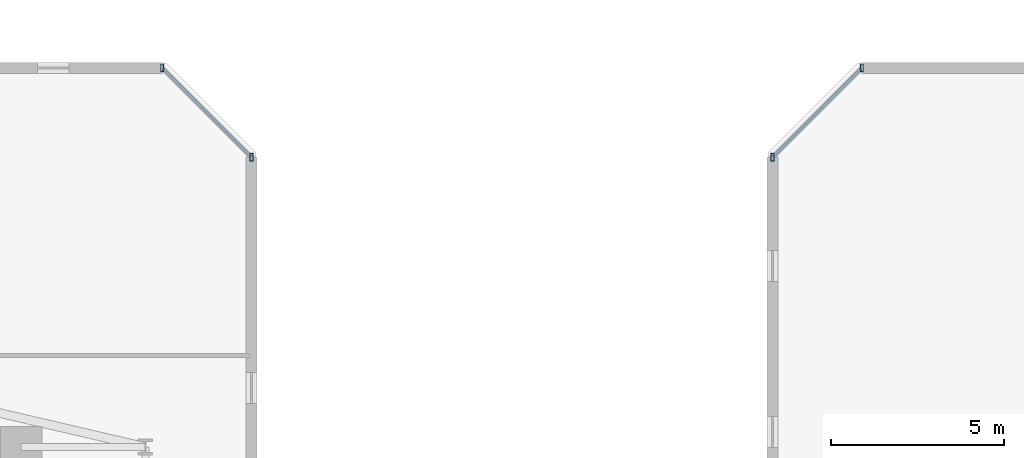
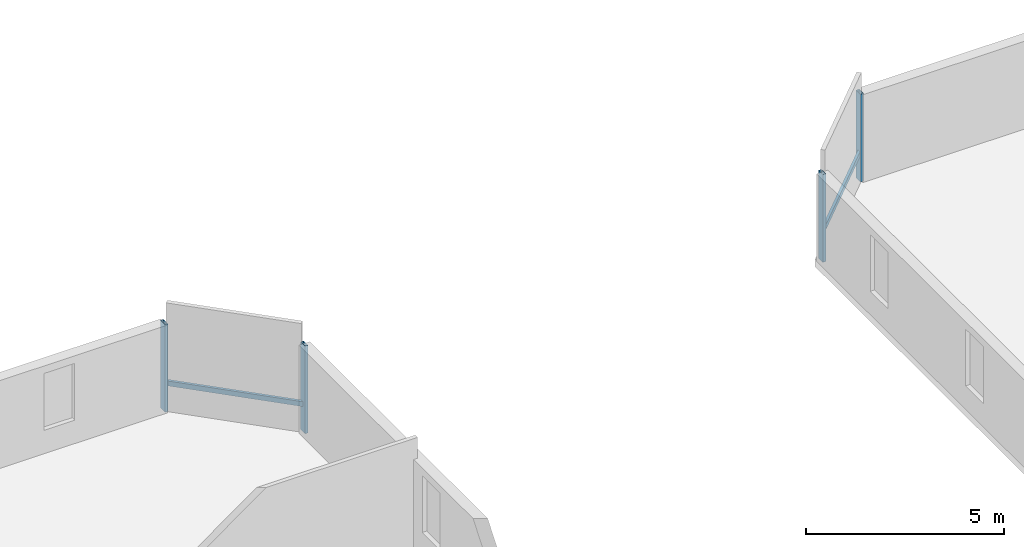
# One storey, part 10 of 29: 6 members, 2 elements without a shape of their own.
"""IFC4 building model written with IfcOpenShell, lengths in metres."""

from ifc_helpers import new_model, si_unit, direction, frame, origin, origin_2d, place, context, subcontext, project, spatial, hollow_rectangle, extrude, material, material_profile, profile_set, type_object, element, aggregate, save


model = new_model("IFC4")

# Units and contexts
model_context = context("Model", 3, precision=1e-05, world=origin(), true_north=direction((0.0, 1.0)))
body_context = subcontext(model_context, "Body", "Model", "MODEL_VIEW")
ifc_project = project(units=[si_unit("LENGTHUNIT", "METRE"), si_unit("AREAUNIT", "SQUARE_METRE"), si_unit("VOLUMEUNIT", "CUBIC_METRE"), si_unit("PLANEANGLEUNIT", "RADIAN"), si_unit("MASSUNIT", "GRAM", prefix="KILO")], contexts=[model_context])

# Site, building, storey
site_placement = place(None, origin())
site = spatial("IfcSite", under=ifc_project, at=site_placement, CompositionType="ELEMENT")
building_placement = place(site_placement, origin())
building = spatial("IfcBuilding", under=site, at=building_placement, Name="Thornwick Lancets Civic Towers", CompositionType="ELEMENT")
storey_placement = place(building_placement, frame((0.0, 0.0, 83.699951171875)))
storey = spatial("IfcBuildingStorey", under=building, at=storey_placement, Name="L21", CompositionType="ELEMENT", Elevation=83.699951171875)

# Curtain wall, members
ifc_material_1 = material(Name="Low-zone chamfered-corner unitised glass curtain wall", Category="glass")
curtain_wall_type = type_object("IfcCurtainWallType", Name="CW_SYS_03", PredefinedType="NOTDEFINED", material=ifc_material_1)
curtain_wall_1_placement = place(storey_placement, origin())
curtain_wall_1 = element("IfcCurtainWall", 1, at=curtain_wall_1_placement, inside=storey, type_object=curtain_wall_type, Name="L21 Curtain Wall CW-L21-A-E3", PredefinedType="NOTDEFINED")
ifc_material_2 = material(Name="Thermally broken bronze aluminium S355", Category="steel")
ifc_material_profile_1 = material_profile(ifc_material_2, hollow_rectangle(XDim=0.090087890625, YDim=0.219970703125, WallThickness=0.00634765625, at=origin_2d()), Name="RHS 220x90x6.3")
ifc_profile_set_1 = profile_set([ifc_material_profile_1], Name="Thermally broken bronze aluminium S355")
member_type_1 = type_object("IfcMemberType", Name="CW_MUL_220", PredefinedType="MULLION", material=ifc_profile_set_1)
member_1_placement = place(storey_placement, frame((49.464599609375, 48.38134765625, 0.0), z_axis=(0.0, 0.0, 1.0), x_axis=(1.0, 0.0, 0.0)))
member_1 = element("IfcMember", 2, at=member_1_placement, type_object=member_type_1, Name="CW-L21-A-E3 Mullion 0", PredefinedType="MULLION", context=body_context, shape_type="SweptSolid", body=[
    extrude(hollow_rectangle(XDim=0.090087890625, YDim=0.219970703125, WallThickness=0.00634765625, at=origin_2d()), origin(), (0.0, 0.0, 1.0), 2.699951171875),
])
member_2_placement = place(storey_placement, frame((46.88134765625, 50.964599609375, 0.0), z_axis=(0.0, 0.0, 1.0), x_axis=(1.0, 0.0, 0.0)))
member_2 = element("IfcMember", 3, at=member_2_placement, type_object=member_type_1, Name="CW-L21-A-E3 Mullion 1", PredefinedType="MULLION", context=body_context, shape_type="SweptSolid", body=[
    extrude(hollow_rectangle(XDim=0.090087890625, YDim=0.219970703125, WallThickness=0.00634765625, at=origin_2d()), origin(), (0.0, 0.0, 1.0), 2.699951171875),
])

curtain_wall_2_placement = place(storey_placement, origin())
curtain_wall_2 = element("IfcCurtainWall", 4, at=curtain_wall_2_placement, inside=storey, type_object=curtain_wall_type, Name="L21 Curtain Wall CW-L21-B-E5", PredefinedType="NOTDEFINED")
member_3_placement = place(storey_placement, frame((67.11865234375, 50.964599609375, 0.0), z_axis=(0.0, 0.0, 1.0), x_axis=(1.0, 0.0, 0.0)))
member_3 = element("IfcMember", 5, at=member_3_placement, type_object=member_type_1, Name="CW-L21-B-E5 Mullion 0", PredefinedType="MULLION", context=body_context, shape_type="SweptSolid", body=[
    extrude(hollow_rectangle(XDim=0.090087890625, YDim=0.219970703125, WallThickness=0.00634765625, at=origin_2d()), origin(), (0.0, 0.0, 1.0), 2.699951171875),
])
member_4_placement = place(storey_placement, frame((64.535400390625, 48.38134765625, 0.0), z_axis=(0.0, 0.0, 1.0), x_axis=(1.0, 0.0, 0.0)))
member_4 = element("IfcMember", 6, at=member_4_placement, type_object=member_type_1, Name="CW-L21-B-E5 Mullion 1", PredefinedType="MULLION", context=body_context, shape_type="SweptSolid", body=[
    extrude(hollow_rectangle(XDim=0.090087890625, YDim=0.219970703125, WallThickness=0.00634765625, at=origin_2d()), origin(), (0.0, 0.0, 1.0), 2.699951171875),
])

# Member
ifc_material_profile_2 = material_profile(ifc_material_2, hollow_rectangle(XDim=0.074951171875, YDim=0.14990234375, WallThickness=0.0048828125, at=origin_2d()), Name="RHS 150x75x5")
ifc_profile_set_2 = profile_set([ifc_material_profile_2], Name="Thermally broken bronze aluminium S355")
member_type_2 = type_object("IfcMemberType", Name="CW_TRN_150", PredefinedType="USERDEFINED", material=ifc_profile_set_2)
member_5_placement = place(storey_placement, frame((49.45068359375, 48.3955078125, 0.85009765625), z_axis=(-0.707106781187, 0.707106781187, 0.0), x_axis=(-0.707106781187, -0.707106781187, 0.0)))
member_5 = element("IfcMember", 7, at=member_5_placement, type_object=member_type_2, Name="CW-L21-A-E3 Transom 0", ObjectType="TRANSOM", PredefinedType="USERDEFINED", context=body_context, shape_type="SweptSolid", body=[
    extrude(hollow_rectangle(XDim=0.074951171875, YDim=0.14990234375, WallThickness=0.0048828125, at=origin_2d()), origin(), (0.0, 0.0, 1.0), 3.613525390625),
])

aggregate(curtain_wall_1, [member_1, member_2, member_5])

member_6_placement = place(storey_placement, frame((67.1044921875, 50.95068359375, 0.85009765625), z_axis=(-0.707106781187, -0.707106781187, 0.0), x_axis=(0.707106781187, -0.707106781187, 0.0)))
member_6 = element("IfcMember", 8, at=member_6_placement, type_object=member_type_2, Name="CW-L21-B-E5 Transom 0", ObjectType="TRANSOM", PredefinedType="USERDEFINED", context=body_context, shape_type="SweptSolid", body=[
    extrude(hollow_rectangle(XDim=0.074951171875, YDim=0.14990234375, WallThickness=0.0048828125, at=origin_2d()), origin(), (0.0, 0.0, 1.0), 3.613525390625),
])

aggregate(curtain_wall_2, [member_3, member_4, member_6])

save(model, "model.ifc")
